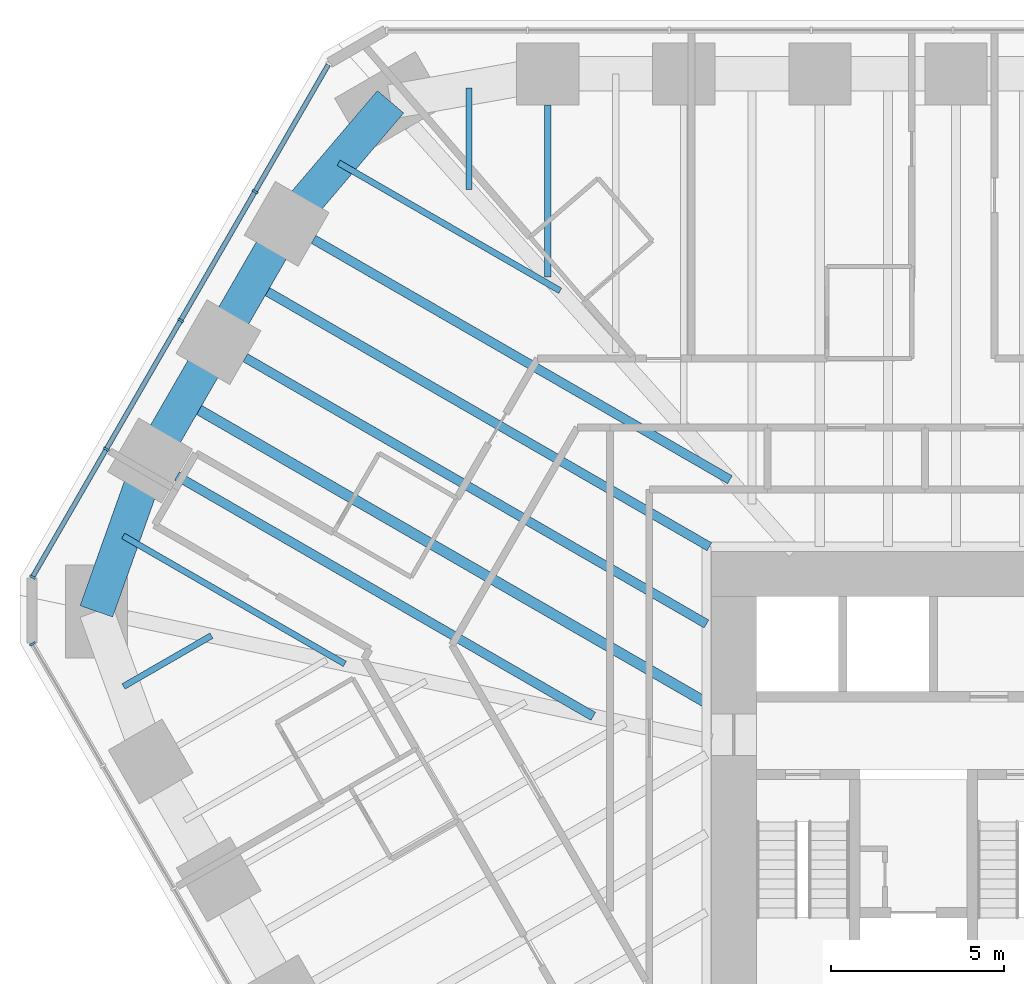
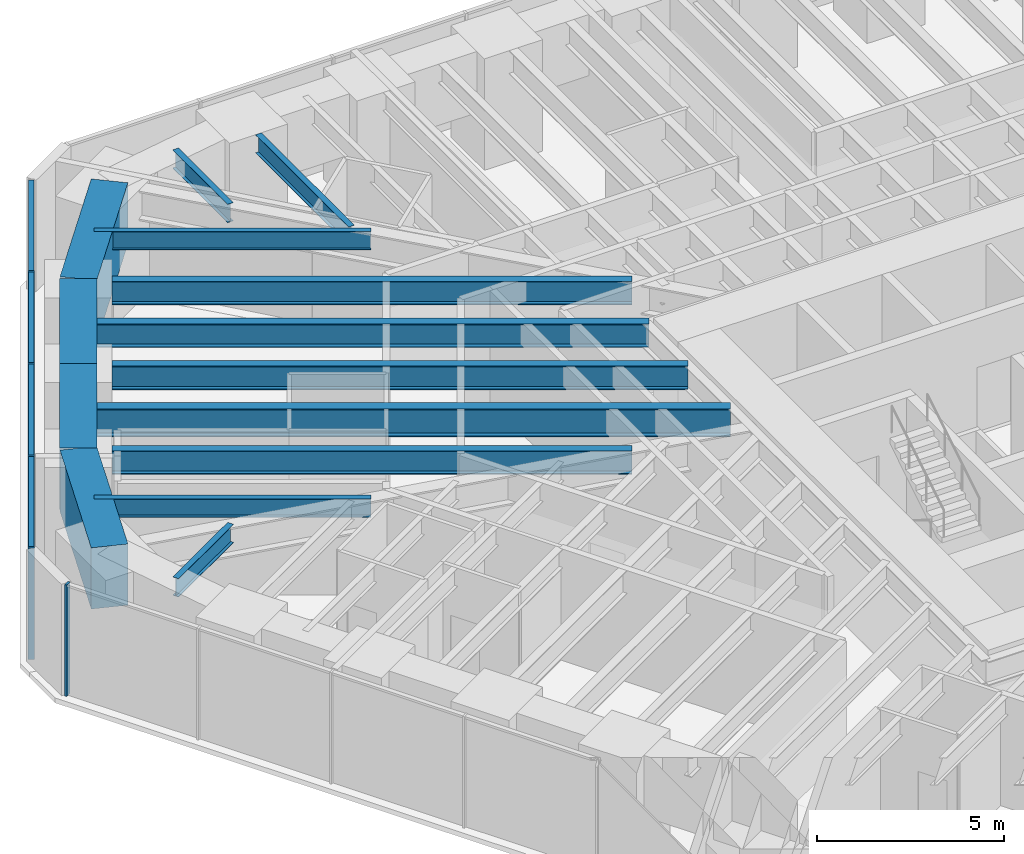
# One storey, part 7 of 17: 14 beams, 9 members, 2 elements without a shape of their own.
"""IFC4 building model written with IfcOpenShell, lengths in metres."""

from ifc_helpers import new_model, si_unit, direction, frame, origin, origin_2d, place, context, subcontext, project, spatial, rectangle, i_section, extrude, material, material_profile, profile_set, type_object, element, aggregate, save


model = new_model("IFC4")

# Units and contexts
model_context = context("Model", 3, precision=1e-05, world=origin(), true_north=direction((0.0, 1.0)))
body_context = subcontext(model_context, "Body", "Model", "MODEL_VIEW")
ifc_project = project(units=[si_unit("LENGTHUNIT", "METRE"), si_unit("AREAUNIT", "SQUARE_METRE"), si_unit("VOLUMEUNIT", "CUBIC_METRE"), si_unit("PLANEANGLEUNIT", "RADIAN"), si_unit("MASSUNIT", "GRAM", prefix="KILO")], contexts=[model_context])

# Site, building, storey
site_placement = place(None, origin())
site = spatial("IfcSite", under=ifc_project, at=site_placement, CompositionType="ELEMENT")
building_placement = place(site_placement, origin())
building = spatial("IfcBuilding", under=site, at=building_placement, Name="Sandreach Pilgrim Tower", CompositionType="ELEMENT")
storey_placement = place(building_placement, frame((0.0, 0.0, 146.199951171875)))
storey = spatial("IfcBuildingStorey", under=building, at=storey_placement, Name="L36", CompositionType="ELEMENT", Elevation=146.199951171875)

# Curtain wall, member
ifc_material_1 = material(Name="Aluminium framed curtain wall", Category="aluminium")
curtain_wall_type = type_object("IfcCurtainWallType", Name="Hotel tower curtain wall", PredefinedType="NOTDEFINED", material=ifc_material_1)
curtain_wall_1_placement = place(storey_placement, origin())
curtain_wall_1 = element("IfcCurtainWall", 1, at=curtain_wall_1_placement, inside=storey, type_object=curtain_wall_type, Name="CW-2 L36 SW", PredefinedType="NOTDEFINED")
ifc_material_2 = material(Name="Aluminium extrusion", Category="aluminium")
ifc_material_profile_1 = material_profile(ifc_material_2, rectangle(XDim=0.06494140625, YDim=0.179931640625, at=origin_2d()), Name="CW-2M 65X180")
ifc_profile_set_1 = profile_set([ifc_material_profile_1], Name="Aluminium extrusion")
member_type_1 = type_object("IfcMemberType", Name="CW-2 mullion", PredefinedType="MULLION", material=ifc_profile_set_1)
member_1_placement = place(storey_placement, frame((-28.70458984375, 4.730224609375, 0.0), z_axis=(0.0, 0.0, 1.0), x_axis=(-0.5, 0.866025403784, 0.0)))
member_1 = element("IfcMember", 2, at=member_1_placement, type_object=member_type_1, Name="CW-2 mullion 10", PredefinedType="MULLION", context=body_context, shape_type="SweptSolid", body=[
    extrude(rectangle(XDim=0.06494140625, YDim=0.179931640625, at=origin_2d()), origin(), (0.0, 0.0, 1.0), 3.64013671875),
])
aggregate(curtain_wall_1, [member_1])

# Curtain wall, members
curtain_wall_2_placement = place(storey_placement, origin())
curtain_wall_2 = element("IfcCurtainWall", 3, at=curtain_wall_2_placement, inside=storey, type_object=curtain_wall_type, Name="CW-2 L36 NW", PredefinedType="NOTDEFINED")
member_2_placement = place(storey_placement, frame((-28.70458984375, 6.66650390625, 0.0), z_axis=(0.0, 0.0, 1.0), x_axis=(0.5, 0.866025403784, 0.0)))
member_2 = element("IfcMember", 4, at=member_2_placement, type_object=member_type_1, Name="CW-2 mullion 1", PredefinedType="MULLION", context=body_context, shape_type="SweptSolid", body=[
    extrude(rectangle(XDim=0.06494140625, YDim=0.179931640625, at=origin_2d()), origin(), (0.0, 0.0, 1.0), 3.64013671875),
])
member_3_placement = place(storey_placement, frame((-26.568115234375, 10.3671875, 0.0), z_axis=(0.0, 0.0, 1.0), x_axis=(0.5, 0.866025403784, 0.0)))
member_3 = element("IfcMember", 5, at=member_3_placement, type_object=member_type_1, Name="CW-2 mullion 2", PredefinedType="MULLION", context=body_context, shape_type="SweptSolid", body=[
    extrude(rectangle(XDim=0.06494140625, YDim=0.179931640625, at=origin_2d()), origin(), (0.0, 0.0, 1.0), 3.64013671875),
])
member_4_placement = place(storey_placement, frame((-24.415283203125, 14.09619140625, 0.0), z_axis=(0.0, 0.0, 1.0), x_axis=(0.5, 0.866025403784, 0.0)))
member_4 = element("IfcMember", 6, at=member_4_placement, type_object=member_type_1, Name="CW-2 mullion 3", PredefinedType="MULLION", context=body_context, shape_type="SweptSolid", body=[
    extrude(rectangle(XDim=0.06494140625, YDim=0.179931640625, at=origin_2d()), origin(), (0.0, 0.0, 1.0), 3.64013671875),
])
member_5_placement = place(storey_placement, frame((-22.262451171875, 17.824951171875, 0.0), z_axis=(0.0, 0.0, 1.0), x_axis=(0.5, 0.866025403784, 0.0)))
member_5 = element("IfcMember", 7, at=member_5_placement, type_object=member_type_1, Name="CW-2 mullion 4", PredefinedType="MULLION", context=body_context, shape_type="SweptSolid", body=[
    extrude(rectangle(XDim=0.06494140625, YDim=0.179931640625, at=origin_2d()), origin(), (0.0, 0.0, 1.0), 3.64013671875),
])
ifc_material_3 = material(Name="Aluminium extrusion", Category="aluminium")
ifc_material_profile_2 = material_profile(ifc_material_3, rectangle(XDim=0.139892578125, YDim=0.070068359375, at=origin_2d()), Name="CW-2T 140X70")
ifc_profile_set_2 = profile_set([ifc_material_profile_2], Name="Aluminium extrusion")
member_type_2 = type_object("IfcMemberType", Name="CW-2 transom", PredefinedType="USERDEFINED", material=ifc_profile_set_2)
member_6_placement = place(storey_placement, frame((-28.6884765625, 6.69482421875, 3.60498046875), z_axis=(0.500038835258, 0.866002981077, 0.0), x_axis=(-0.866002981077, 0.500038835258, 0.0)))
member_6 = element("IfcMember", 8, at=member_6_placement, type_object=member_type_2, Name="CW-2 head transom 1", ObjectType="TRANSOM", PredefinedType="USERDEFINED", context=body_context, shape_type="SweptSolid", body=[
    extrude(rectangle(XDim=0.139892578125, YDim=0.070068359375, at=origin_2d()), origin(), (0.0, 0.0, 1.0), 4.208251953125),
])
member_7_placement = place(storey_placement, frame((-26.5517578125, 10.3955078125, 3.60498046875), z_axis=(0.500021471012, 0.866013007135, 0.0), x_axis=(-0.866013007135, 0.500021471012, 0.0)))
member_7 = element("IfcMember", 9, at=member_7_placement, type_object=member_type_2, Name="CW-2 head transom 2", ObjectType="TRANSOM", PredefinedType="USERDEFINED", context=body_context, shape_type="SweptSolid", body=[
    extrude(rectangle(XDim=0.139892578125, YDim=0.070068359375, at=origin_2d()), origin(), (0.0, 0.0, 1.0), 4.240478515625),
])
member_8_placement = place(storey_placement, frame((-24.39892578125, 14.124267578125, 3.60498046875), z_axis=(0.499996541496, 0.866027400544, 0.0), x_axis=(-0.866027400544, 0.499996541496, 0.0)))
member_8 = element("IfcMember", 10, at=member_8_placement, type_object=member_type_2, Name="CW-2 head transom 3", ObjectType="TRANSOM", PredefinedType="USERDEFINED", context=body_context, shape_type="SweptSolid", body=[
    extrude(rectangle(XDim=0.139892578125, YDim=0.070068359375, at=origin_2d()), origin(), (0.0, 0.0, 1.0), 4.24072265625),
])
member_9_placement = place(storey_placement, frame((-22.24609375, 17.85302734375, 3.60498046875), z_axis=(0.49997020258, 0.86604260665, 0.0), x_axis=(-0.86604260665, 0.49997020258, 0.0)))
member_9 = element("IfcMember", 11, at=member_9_placement, type_object=member_type_2, Name="CW-2 head transom 4", ObjectType="TRANSOM", PredefinedType="USERDEFINED", context=body_context, shape_type="SweptSolid", body=[
    extrude(rectangle(XDim=0.139892578125, YDim=0.070068359375, at=origin_2d()), origin(), (0.0, 0.0, 1.0), 4.208251953125),
])
aggregate(curtain_wall_2, [member_2, member_3, member_4, member_5, member_6, member_7, member_8, member_9])

# Beams
ifc_material_4 = material(Name="Steel ASTM A992 Grade 50", Category="steel")
ifc_material_profile_3 = material_profile(ifc_material_4, i_section(OverallWidth=0.1787109375, OverallDepth=0.60205078125, WebThickness=0.010986328125, FlangeThickness=0.014892578125, at=origin_2d()), Name="W24X62")
ifc_profile_set_3 = profile_set([ifc_material_profile_3], Name="Steel ASTM A992 Grade 50")
beam_type_1 = type_object("IfcBeamType", Name="Floor beam W24X62", PredefinedType="BEAM", material=ifc_profile_set_3)
beam_1_placement = place(storey_placement, frame((-13.789794921875, 20.333740234375, 3.339111328125), z_axis=(0.0, -1.0, 0.0), x_axis=(1.0, 0.0, 0.0)))
element("IfcBeam", 12, at=beam_1_placement, inside=storey, type_object=beam_type_1, Name="BM L36 F01", PredefinedType="BEAM", context=body_context, shape_type="SweptSolid", body=[
    extrude(i_section(OverallWidth=0.1787109375, OverallDepth=0.60205078125, WebThickness=0.010986328125, FlangeThickness=0.014892578125, at=origin_2d()), origin(), (0.0, 0.0, 1.0), 4.9765625),
])
beam_2_placement = place(storey_placement, frame((-26.070556640625, 3.498046875, 3.339111328125), z_axis=(0.866051374412, 0.499955014855, 0.0), x_axis=(-0.499955014855, 0.866051374412, 0.0)))
element("IfcBeam", 13, at=beam_2_placement, inside=storey, type_object=beam_type_1, Name="BM L36 FM34", PredefinedType="BEAM", context=body_context, shape_type="SweptSolid", body=[
    extrude(i_section(OverallWidth=0.1787109375, OverallDepth=0.60205078125, WebThickness=0.010986328125, FlangeThickness=0.014892578125, at=origin_2d()), origin(), (0.0, 0.0, 1.0), 2.938232421875),
])
for number, where, z_axis, x_axis, name in (
    (14, (-26.079345703125, 7.855712890625, 3.339111328125), (0.866025875064, -0.499999183719, 0.0), (0.499999183719, 0.866025875064, 0.0), "BM L36 FM35"),
    (15, (-19.8427734375, 18.65771484375, 3.339111328125), (0.866025875064, -0.499999183719, 0.0), (0.499999183719, 0.866025875064, 0.0), "BM L36 FM38"),
):
    element("IfcBeam", number, at=place(storey_placement, frame(where, z_axis=z_axis, x_axis=x_axis)), inside=storey, type_object=beam_type_1, Name=name, PredefinedType="BEAM", context=body_context, shape_type="SweptSolid", body=[
        extrude(i_section(OverallWidth=0.1787109375, OverallDepth=0.60205078125, WebThickness=0.010986328125, FlangeThickness=0.014892578125, at=origin_2d()), origin(), (0.0, 0.0, 1.0), 7.40771484375),
    ])
beam_3_placement = place(storey_placement, frame((-16.064697265625, 20.828857421875, 3.339111328125), z_axis=(0.0, -1.0, 0.0), x_axis=(1.0, 0.0, 0.0)))
element("IfcBeam", 16, at=beam_3_placement, inside=storey, type_object=beam_type_1, Name="BM L36 FM39", PredefinedType="BEAM", context=body_context, shape_type="SweptSolid", body=[
    extrude(i_section(OverallWidth=0.1787109375, OverallDepth=0.60205078125, WebThickness=0.010986328125, FlangeThickness=0.014892578125, at=origin_2d()), origin(), (0.0, 0.0, 1.0), 2.938232421875),
])
ifc_material_5 = material(Name="Steel ASTM A992 Grade 50", Category="steel")
ifc_material_profile_4 = material_profile(ifc_material_5, i_section(OverallWidth=0.2666015625, OverallDepth=0.761962890625, WebThickness=0.014404296875, FlangeThickness=0.021484375, at=origin_2d()), Name="W30X116")
ifc_profile_set_4 = profile_set([ifc_material_profile_4], Name="Steel ASTM A992 Grade 50")
beam_type_2 = type_object("IfcBeamType", Name="Floor beam W30X116", PredefinedType="BEAM", material=ifc_profile_set_4)
beam_4_placement = place(storey_placement, frame((-24.522216796875, 9.5908203125, 3.259033203125), z_axis=(0.866026649588, -0.499997842199, 0.0), x_axis=(0.499997842199, 0.866026649588, 0.0)))
element("IfcBeam", 17, at=beam_4_placement, inside=storey, type_object=beam_type_2, Name="BM L36 F36", PredefinedType="BEAM", context=body_context, shape_type="SweptSolid", body=[
    extrude(i_section(OverallWidth=0.2666015625, OverallDepth=0.761962890625, WebThickness=0.014404296875, FlangeThickness=0.021484375, at=origin_2d()), origin(), (0.0, 0.0, 1.0), 13.91552734375),
])
beam_5_placement = place(storey_placement, frame((-20.56689453125, 16.44140625, 3.259033203125), z_axis=(0.866022263426, -0.500005439221, 0.0), x_axis=(0.500005439221, 0.866022263426, 0.0)))
element("IfcBeam", 18, at=beam_5_placement, inside=storey, type_object=beam_type_2, Name="BM L36 F38", PredefinedType="BEAM", context=body_context, shape_type="SweptSolid", body=[
    extrude(i_section(OverallWidth=0.2666015625, OverallDepth=0.761962890625, WebThickness=0.014404296875, FlangeThickness=0.021484375, at=origin_2d()), origin(), (0.0, 0.0, 1.0), 13.915283203125),
])
ifc_material_6 = material(Name="Steel ASTM A992 Grade 50", Category="steel")
ifc_material_profile_5 = material_profile(ifc_material_6, i_section(OverallWidth=0.2666015625, OverallDepth=0.77978515625, WebThickness=0.0166015625, FlangeThickness=0.030029296875, at=origin_2d()), Name="W30X148")
ifc_profile_set_5 = profile_set([ifc_material_profile_5], Name="Steel ASTM A992 Grade 50")
beam_type_3 = type_object("IfcBeamType", Name="Floor beam W30X148", PredefinedType="BEAM", material=ifc_profile_set_5)
beam_6_placement = place(storey_placement, frame((-22.544677734375, 13.01611328125, 3.250244140625), z_axis=(0.866029203842, -0.49999341805, 0.0), x_axis=(0.49999341805, 0.866029203842, 0.0)))
element("IfcBeam", 19, at=beam_6_placement, inside=storey, type_object=beam_type_3, Name="BM L36 F37", PredefinedType="BEAM", context=body_context, shape_type="SweptSolid", body=[
    extrude(i_section(OverallWidth=0.2666015625, OverallDepth=0.77978515625, WebThickness=0.0166015625, FlangeThickness=0.030029296875, at=origin_2d()), origin(), (0.0, 0.0, 1.0), 15.416748046875),
])
beam_7_placement = place(storey_placement, frame((-22.335205078125, 15.1787109375, 3.250244140625), z_axis=(0.866028773314, -0.499994163758, 0.0), x_axis=(0.499994163758, 0.866028773314, 0.0)))
element("IfcBeam", 20, at=beam_7_placement, inside=storey, type_object=beam_type_3, Name="BM L36 FM37", PredefinedType="BEAM", context=body_context, shape_type="SweptSolid", body=[
    extrude(i_section(OverallWidth=0.2666015625, OverallDepth=0.77978515625, WebThickness=0.0166015625, FlangeThickness=0.030029296875, at=origin_2d()), origin(), (0.0, 0.0, 1.0), 15.270751953125),
])
ifc_material_7 = material(Name="Steel ASTM A992 Grade 50", Category="steel")
ifc_material_profile_6 = material_profile(ifc_material_7, i_section(OverallWidth=0.3046875, OverallDepth=0.914306640625, WebThickness=0.0166015625, FlangeThickness=0.02587890625, at=origin_2d()), Name="W36X160")
ifc_profile_set_6 = profile_set([ifc_material_profile_6], Name="Steel ASTM A992 Grade 50")
beam_type_4 = type_object("IfcBeamType", Name="Floor beam W36X160", PredefinedType="BEAM", material=ifc_profile_set_6)
beam_8_placement = place(storey_placement, frame((-24.312744140625, 11.75341796875, 3.182861328125), z_axis=(0.866023737483, -0.500002886107, 0.0), x_axis=(0.500002886107, 0.866023737483, 0.0)))
element("IfcBeam", 21, at=beam_8_placement, inside=storey, type_object=beam_type_4, Name="BM L36 FM36", PredefinedType="BEAM", context=body_context, shape_type="SweptSolid", body=[
    extrude(i_section(OverallWidth=0.3046875, OverallDepth=0.914306640625, WebThickness=0.0166015625, FlangeThickness=0.02587890625, at=origin_2d()), origin(), (0.0, 0.0, 1.0), 17.45849609375),
])
ifc_material_8 = material(Name="Concrete 10000 psi", Category="concrete")
ifc_material_profile_7 = material_profile(ifc_material_8, rectangle(XDim=1.0, YDim=2.0, at=origin_2d()), Name="RC1000X2000")
ifc_profile_set_7 = profile_set([ifc_material_profile_7], Name="Concrete 10000 psi")
beam_type_5 = type_object("IfcBeamType", Name="Spandrel beam RC1000X2000", PredefinedType="SPANDREL", material=ifc_profile_set_7)
beam_9_placement = place(storey_placement, frame((-26.857177734375, 5.67041015625, 2.64013671875), z_axis=(0.335346041399, 0.942095023083, 0.0), x_axis=(-0.942095023083, 0.335346041399, 0.0)))
element("IfcBeam", 22, at=beam_9_placement, inside=storey, type_object=beam_type_5, Name="BM L36 SP35", PredefinedType="SPANDREL", context=body_context, shape_type="SweptSolid", body=[
    extrude(rectangle(XDim=1.0, YDim=2.0, at=origin_2d()), origin(), (0.0, 0.0, 1.0), 4.638916015625),
])
for number, where, z_axis, x_axis, name in (
    (23, (-25.301513671875, 10.040771484375, 2.64013671875), (0.499989616998, 0.866031398331, 0.0), (-0.866031398331, 0.499989616998, 0.0), "BM L36 SP36"),
    (24, (-23.323974609375, 13.466064453125, 2.64013671875), (0.499989616998, 0.866031398331, 0.0), (-0.866031398331, 0.499989616998, 0.0), "BM L36 SP37"),
):
    element("IfcBeam", number, at=place(storey_placement, frame(where, z_axis=z_axis, x_axis=x_axis)), inside=storey, type_object=beam_type_5, Name=name, PredefinedType="SPANDREL", context=body_context, shape_type="SweptSolid", body=[
        extrude(rectangle(XDim=1.0, YDim=2.0, at=origin_2d()), origin(), (0.0, 0.0, 1.0), 3.955078125),
    ])
beam_10_placement = place(storey_placement, frame((-21.346435546875, 16.891357421875, 2.64013671875), z_axis=(0.648208888384, 0.761462564425, 0.0), x_axis=(-0.761462564425, 0.648208888384, 0.0)))
element("IfcBeam", 25, at=beam_10_placement, inside=storey, type_object=beam_type_5, Name="BM L36 SP38", PredefinedType="SPANDREL", context=body_context, shape_type="SweptSolid", body=[
    extrude(rectangle(XDim=1.0, YDim=2.0, at=origin_2d()), origin(), (0.0, 0.0, 1.0), 4.63916015625),
])

save(model, "model.ifc")
